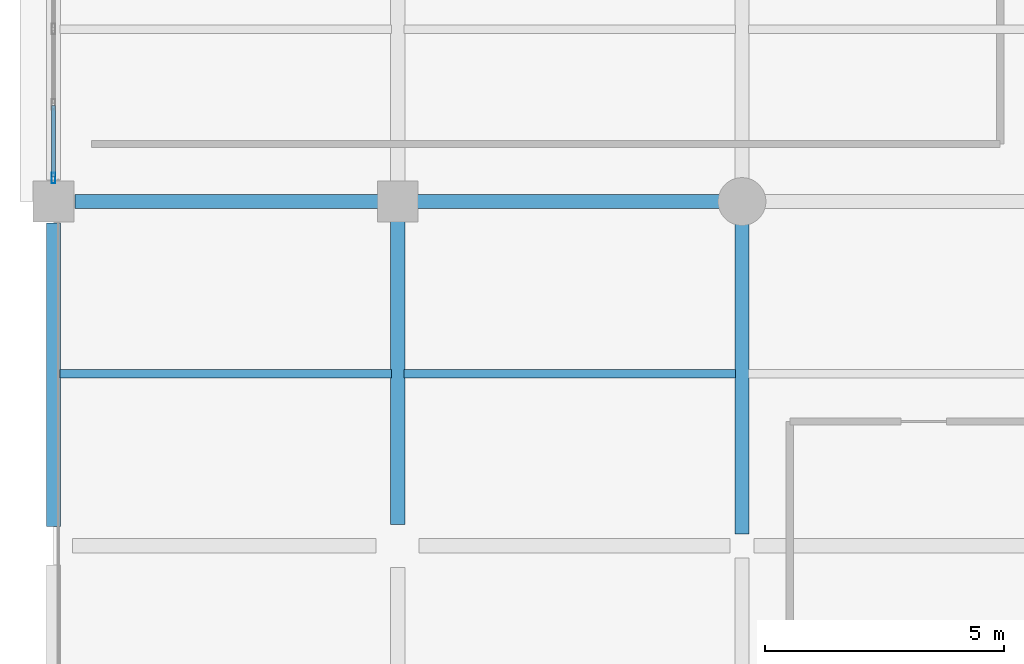
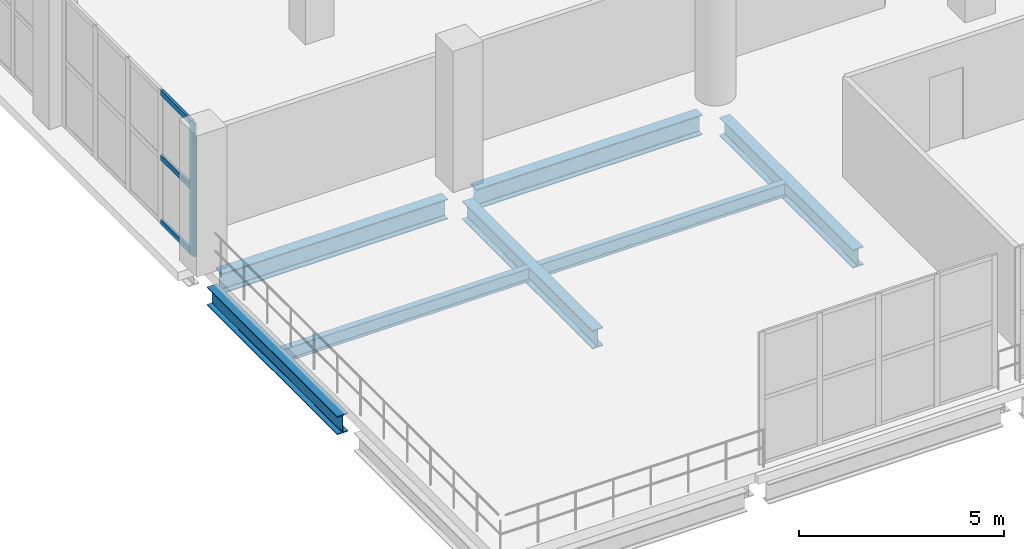
# One storey, part 7 of 153: 7 beams, 4 members, 1 element without a shape of its own.
"""IFC4 building model written with IfcOpenShell, lengths in metres."""

from ifc_helpers import new_model, si_unit, direction, frame, origin, origin_2d, place, context, subcontext, project, spatial, hollow_rectangle, i_section, extrude, material, material_profile, profile_set, type_object, element, aggregate, save


model = new_model("IFC4")

# Units and contexts
model_context = context("Model", 3, precision=1e-05, world=origin(), true_north=direction((0.0, 1.0)))
body_context = subcontext(model_context, "Body", "Model", "MODEL_VIEW")
ifc_project = project(units=[si_unit("LENGTHUNIT", "METRE"), si_unit("AREAUNIT", "SQUARE_METRE"), si_unit("VOLUMEUNIT", "CUBIC_METRE"), si_unit("PLANEANGLEUNIT", "RADIAN"), si_unit("MASSUNIT", "GRAM", prefix="KILO")], contexts=[model_context])

# Site, building, storey
site_placement = place(None, origin())
site = spatial("IfcSite", under=ifc_project, at=site_placement, CompositionType="ELEMENT")
building_placement = place(site_placement, origin())
building = spatial("IfcBuilding", under=site, at=building_placement, Name="Qandorah Velis Arena", CompositionType="ELEMENT")
storey_placement = place(building_placement, frame((0.0, 0.0, 5.39990234375)))
storey = spatial("IfcBuildingStorey", under=building, at=storey_placement, Name="L01", CompositionType="ELEMENT", Elevation=5.39990234375)

# Curtain wall, members
ifc_material_1 = material(Name="Solar-control low-E double glazing", Category="glass")
curtain_wall_type = type_object("IfcCurtainWallType", Name="ARC-CW-SYS01", PredefinedType="USERDEFINED", material=ifc_material_1)
curtain_wall_placement = place(storey_placement, origin())
curtain_wall = element("IfcCurtainWall", 1, at=curtain_wall_placement, inside=storey, type_object=curtain_wall_type, Name="Unitised curtain wall L01-001", ObjectType="UNITISED CURTAIN WALL", PredefinedType="USERDEFINED")
ifc_material_2 = material(Name="Champagne-bronze anodized aluminium 6063-T6", Category="aluminium")
ifc_material_profile_1 = material_profile(ifc_material_2, hollow_rectangle(XDim=0.074951171875, YDim=0.219970703125, WallThickness=0.00390625, at=origin_2d()), Name="ALU MULLION 75x220")
ifc_profile_set_1 = profile_set([ifc_material_profile_1], Name="Champagne-bronze anodized aluminium 6063-T6")
member_type_1 = type_object("IfcMemberType", Name="ARC-CWM-220", PredefinedType="MULLION", material=ifc_profile_set_1)
member_1_placement = place(storey_placement, frame((0.0, 14.887451171875, -0.014892578125), z_axis=(0.0, 0.0, 1.0), x_axis=(-1.0, 0.0, 0.0)))
member_1 = element("IfcMember", 2, at=member_1_placement, type_object=member_type_1, Name="CW01 mullion 1", PredefinedType="MULLION", context=body_context, shape_type="SweptSolid", body=[
    extrude(hollow_rectangle(XDim=0.074951171875, YDim=0.219970703125, WallThickness=0.00390625, at=origin_2d()), origin(), (0.0, 0.0, 1.0), 3.949951171875),
])
ifc_material_profile_2 = material_profile(ifc_material_2, hollow_rectangle(XDim=0.074951171875, YDim=0.159912109375, WallThickness=0.00341796875, at=origin_2d()), Name="ALU TRANSOM 75x160")
ifc_profile_set_2 = profile_set([ifc_material_profile_2], Name="Champagne-bronze anodized aluminium 6063-T6")
member_type_2 = type_object("IfcMemberType", Name="ARC-CWT-160", PredefinedType="USERDEFINED", material=ifc_profile_set_2)
member_2_placement = place(storey_placement, frame((0.0, 14.9130859375, 0.03759765625), z_axis=(0.0, 1.0, 0.0), x_axis=(-1.0, 0.0, 0.0)))
member_2 = element("IfcMember", 3, at=member_2_placement, type_object=member_type_2, Name="CW01 transom 1.1", ObjectType="TRANSOM", PredefinedType="USERDEFINED", context=body_context, shape_type="SweptSolid", body=[
    extrude(hollow_rectangle(XDim=0.074951171875, YDim=0.159912109375, WallThickness=0.00341796875, at=origin_2d()), origin(), (0.0, 0.0, 1.0), 1.49267578125),
])
member_3_placement = place(storey_placement, frame((0.0, 14.9130859375, 1.960205078125), z_axis=(0.0, 1.0, 0.0), x_axis=(-1.0, 0.0, 0.0)))
member_3 = element("IfcMember", 4, at=member_3_placement, type_object=member_type_2, Name="CW01 transom 1.2", ObjectType="TRANSOM", PredefinedType="USERDEFINED", context=body_context, shape_type="SweptSolid", body=[
    extrude(hollow_rectangle(XDim=0.074951171875, YDim=0.159912109375, WallThickness=0.00341796875, at=origin_2d()), origin(), (0.0, 0.0, 1.0), 1.49267578125),
])
member_4_placement = place(storey_placement, frame((0.0, 14.9130859375, 3.882568359375), z_axis=(0.0, 1.0, 0.0), x_axis=(-1.0, 0.0, 0.0)))
member_4 = element("IfcMember", 5, at=member_4_placement, type_object=member_type_2, Name="CW01 transom 1.3", ObjectType="TRANSOM", PredefinedType="USERDEFINED", context=body_context, shape_type="SweptSolid", body=[
    extrude(hollow_rectangle(XDim=0.074951171875, YDim=0.159912109375, WallThickness=0.00341796875, at=origin_2d()), origin(), (0.0, 0.0, 1.0), 1.49267578125),
])
aggregate(curtain_wall, [member_1, member_2, member_3, member_4])

# Beams
ifc_material_3 = material(Name="Steel S355", Category="steel")
ifc_material_profile_3 = material_profile(ifc_material_3, i_section(OverallWidth=0.300048828125, OverallDepth=0.550048828125, WebThickness=0.014892578125, FlangeThickness=0.029052734375, FilletRadius=0.027099609375, at=origin_2d()), Name="HEB 550")
ifc_profile_set_3 = profile_set([ifc_material_profile_3], Name="Steel S355")
beam_type_1 = type_object("IfcBeamType", Name="STR-BM-HEB550", PredefinedType="BEAM", material=ifc_profile_set_3)
beam_1_placement = place(storey_placement, frame((0.0, 7.60009765625, -0.635009765625), z_axis=(0.0, 1.0, 0.0), x_axis=(-1.0, 0.0, 0.0)))
element("IfcBeam", 6, at=beam_1_placement, inside=storey, type_object=beam_type_1, Name="Primary floor girder L01 Y-221", PredefinedType="BEAM", context=body_context, shape_type="SweptSolid", body=[
    extrude(i_section(OverallWidth=0.300048828125, OverallDepth=0.550048828125, WebThickness=0.014892578125, FlangeThickness=0.029052734375, FilletRadius=0.027099609375, at=origin_2d()), origin(), (0.0, 0.0, 1.0), 6.349853515625),
])
beam_2_placement = place(storey_placement, frame((7.199951171875, 7.64990234375, -0.635009765625), z_axis=(0.0, 1.0, 0.0), x_axis=(-1.0, 0.0, 0.0)))
element("IfcBeam", 7, at=beam_2_placement, inside=storey, type_object=beam_type_1, Name="Primary floor girder L01 Y-239", PredefinedType="BEAM", context=body_context, shape_type="SweptSolid", body=[
    extrude(i_section(OverallWidth=0.300048828125, OverallDepth=0.550048828125, WebThickness=0.014892578125, FlangeThickness=0.029052734375, FilletRadius=0.027099609375, at=origin_2d()), origin(), (0.0, 0.0, 1.0), 6.35009765625),
])
beam_3_placement = place(storey_placement, frame((14.39990234375, 7.449951171875, -0.635009765625), z_axis=(0.0, 1.0, 0.0), x_axis=(-1.0, 0.0, 0.0)))
element("IfcBeam", 8, at=beam_3_placement, inside=storey, type_object=beam_type_1, Name="Primary floor girder L01 Y-257", PredefinedType="BEAM", context=body_context, shape_type="SweptSolid", body=[
    extrude(i_section(OverallWidth=0.300048828125, OverallDepth=0.550048828125, WebThickness=0.014892578125, FlangeThickness=0.029052734375, FilletRadius=0.027099609375, at=origin_2d()), origin(), (0.0, 0.0, 1.0), 6.5),
])
ifc_material_profile_4 = material_profile(ifc_material_3, i_section(OverallWidth=0.300048828125, OverallDepth=0.60009765625, WebThickness=0.015380859375, FlangeThickness=0.030029296875, FilletRadius=0.027099609375, at=origin_2d()), Name="HEB 600")
ifc_profile_set_4 = profile_set([ifc_material_profile_4], Name="Steel S355")
beam_type_2 = type_object("IfcBeamType", Name="STR-BM-HEB600", PredefinedType="BEAM", material=ifc_profile_set_4)
beam_4_placement = place(storey_placement, frame((0.449951171875, 14.39990234375, -0.659912109375), z_axis=(1.0, 0.0, 0.0), x_axis=(0.0, 1.0, 0.0)))
element("IfcBeam", 9, at=beam_4_placement, inside=storey, type_object=beam_type_2, Name="Primary floor girder L01 X-033", PredefinedType="BEAM", context=body_context, shape_type="SweptSolid", body=[
    extrude(i_section(OverallWidth=0.300048828125, OverallDepth=0.60009765625, WebThickness=0.015380859375, FlangeThickness=0.030029296875, FilletRadius=0.027099609375, at=origin_2d()), origin(), (0.0, 0.0, 1.0), 6.35009765625),
])
beam_5_placement = place(storey_placement, frame((7.60009765625, 14.39990234375, -0.659912109375), z_axis=(1.0, 0.0, 0.0), x_axis=(0.0, 1.0, 0.0)))
element("IfcBeam", 10, at=beam_5_placement, inside=storey, type_object=beam_type_2, Name="Primary floor girder L01 X-034", PredefinedType="BEAM", context=body_context, shape_type="SweptSolid", body=[
    extrude(i_section(OverallWidth=0.300048828125, OverallDepth=0.60009765625, WebThickness=0.015380859375, FlangeThickness=0.030029296875, FilletRadius=0.027099609375, at=origin_2d()), origin(), (0.0, 0.0, 1.0), 6.349853515625),
])
ifc_material_profile_5 = material_profile(ifc_material_3, i_section(OverallWidth=0.179931640625, OverallDepth=0.39990234375, WebThickness=0.008544921875, FlangeThickness=0.013427734375, FilletRadius=0.02099609375, at=origin_2d()), Name="IPE 400")
ifc_profile_set_5 = profile_set([ifc_material_profile_5], Name="Steel S355")
beam_type_3 = type_object("IfcBeamType", Name="STR-JST-IPE400", PredefinedType="JOIST", material=ifc_profile_set_5)
for number, where, z_axis, x_axis, name in (
    (11, (0.135009765625, 10.800048828125, -0.559814453125), (1.0, 0.0, 0.0), (0.0, 1.0, 0.0), "Secondary floor joist L01-002"),
    (12, (7.3349609375, 10.800048828125, -0.559814453125), (1.0, 0.0, 0.0), (0.0, 1.0, 0.0), "Secondary floor joist L01-016"),
):
    element("IfcBeam", number, at=place(storey_placement, frame(where, z_axis=z_axis, x_axis=x_axis)), inside=storey, type_object=beam_type_3, Name=name, PredefinedType="JOIST", context=body_context, shape_type="SweptSolid", body=[
        extrude(i_section(OverallWidth=0.179931640625, OverallDepth=0.39990234375, WebThickness=0.008544921875, FlangeThickness=0.013427734375, FilletRadius=0.02099609375, at=origin_2d()), origin(), (0.0, 0.0, 1.0), 6.929931640625),
    ])

save(model, "model.ifc")
